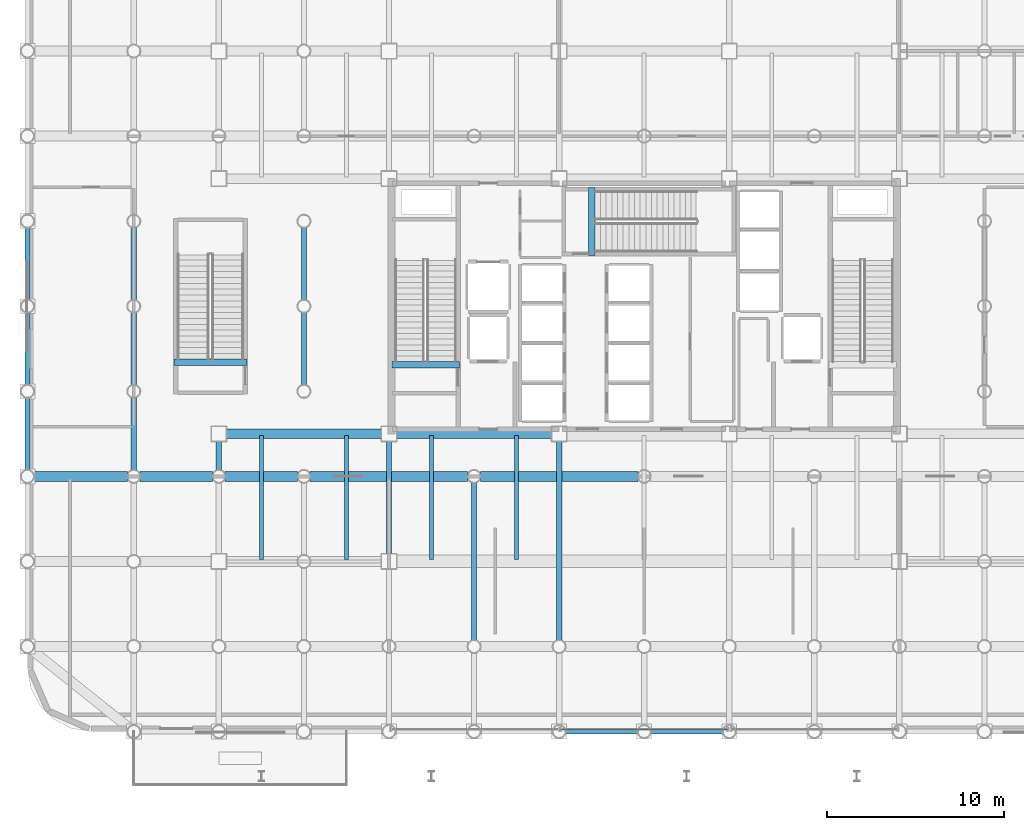
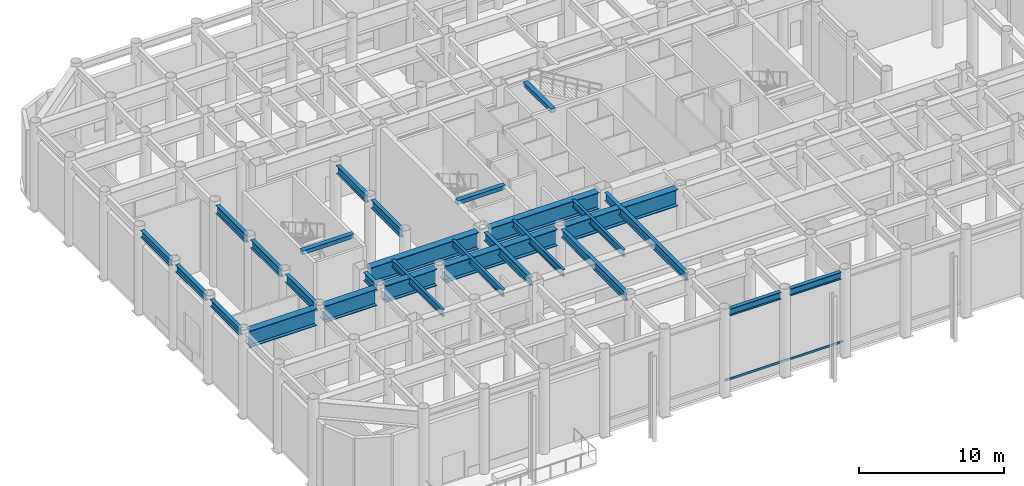
# One storey, part 5 of 23: 28 beams, 1 member, 1 element without a shape of its own.
"""IFC4 building model written with IfcOpenShell, lengths in metres."""

from ifc_helpers import new_model, si_unit, direction, frame, origin, origin_2d, place, context, subcontext, project, spatial, rectangle, hollow_rectangle, i_section, extrude, material, layer, layer_set, material_profile, profile_set, type_object, element, aggregate, save


model = new_model("IFC4")

# Units and contexts
model_context = context("Model", 3, precision=1e-05, world=origin(), true_north=direction((0.0, 1.0)))
body_context = subcontext(model_context, "Body", "Model", "MODEL_VIEW")
ifc_project = project(units=[si_unit("LENGTHUNIT", "METRE"), si_unit("AREAUNIT", "SQUARE_METRE"), si_unit("VOLUMEUNIT", "CUBIC_METRE"), si_unit("PLANEANGLEUNIT", "RADIAN"), si_unit("MASSUNIT", "GRAM", prefix="KILO")], contexts=[model_context])

# Site, building, storey
site_placement = place(None, origin())
site = spatial("IfcSite", under=ifc_project, at=site_placement, CompositionType="ELEMENT")
building_placement = place(site_placement, origin())
building = spatial("IfcBuilding", under=site, at=building_placement, Name="Kallvorn Hotel Tower", CompositionType="ELEMENT")
storey_placement = place(building_placement, frame((0.0, 0.0, 12.0)))
storey = spatial("IfcBuildingStorey", under=building, at=storey_placement, Name="L02", CompositionType="ELEMENT", Elevation=12.0)

# Beams
ifc_material_1 = material(Name="Structural steel S355JR", Category="steel")
ifc_material_profile_1 = material_profile(ifc_material_1, i_section(OverallWidth=0.300048828125, OverallDepth=0.60009765625, WebThickness=0.015380859375, FlangeThickness=0.030029296875, at=origin_2d()), Name="HE 600 B")
ifc_profile_set_1 = profile_set([ifc_material_profile_1], Name="Structural steel S355JR")
beam_type_1 = type_object("IfcBeamType", Name="BM_HE600B", PredefinedType="SPANDREL", material=ifc_profile_set_1)
for number, where, z_axis, x_axis, name in (
    (1, (-4.428955078125, -24.0, 6.6201171875), (1.0, 0.0, 0.0), (0.0, 1.0, 0.0), "L03 Perimeter Spandrel 173"),
    (2, (0.37109375, -24.0, 6.6201171875), (1.0, 0.0, 0.0), (0.0, 1.0, 0.0), "L03 Perimeter Spandrel 174"),
):
    element("IfcBeam", number, at=place(storey_placement, frame(where, z_axis=z_axis, x_axis=x_axis)), inside=storey, type_object=beam_type_1, Name=name, PredefinedType="SPANDREL", context=body_context, shape_type="SweptSolid", body=[
        extrude(i_section(OverallWidth=0.300048828125, OverallDepth=0.60009765625, WebThickness=0.015380859375, FlangeThickness=0.030029296875, at=origin_2d()), origin(), (0.0, 0.0, 1.0), 4.057861328125),
    ])
beam_1_placement = place(storey_placement, frame((-34.800048828125, -9.22900390625, 6.6201171875), z_axis=(0.0, 1.0, 0.0), x_axis=(-1.0, 0.0, 0.0)))
element("IfcBeam", 3, at=beam_1_placement, inside=storey, type_object=beam_type_1, Name="L03 Perimeter Spandrel 194", PredefinedType="SPANDREL", context=body_context, shape_type="SweptSolid", body=[
    extrude(i_section(OverallWidth=0.300048828125, OverallDepth=0.60009765625, WebThickness=0.015380859375, FlangeThickness=0.030029296875, at=origin_2d()), origin(), (0.0, 0.0, 1.0), 4.05810546875),
])
for number, where, z_axis, x_axis, name in (
    (4, (-34.800048828125, -4.428955078125, 6.6201171875), (0.0, 1.0, 0.0), (-1.0, 0.0, 0.0), "L03 Perimeter Spandrel 195"),
    (5, (-34.800048828125, 0.37109375, 6.6201171875), (0.0, 1.0, 0.0), (-1.0, 0.0, 0.0), "L03 Perimeter Spandrel 196"),
):
    element("IfcBeam", number, at=place(storey_placement, frame(where, z_axis=z_axis, x_axis=x_axis)), inside=storey, type_object=beam_type_1, Name=name, PredefinedType="SPANDREL", context=body_context, shape_type="SweptSolid", body=[
        extrude(i_section(OverallWidth=0.300048828125, OverallDepth=0.60009765625, WebThickness=0.015380859375, FlangeThickness=0.030029296875, at=origin_2d()), origin(), (0.0, 0.0, 1.0), 4.057861328125),
    ])
ifc_material_2 = material(Name="Structural steel S355JR", Category="steel")
ifc_material_profile_2 = material_profile(ifc_material_2, i_section(OverallWidth=0.300048828125, OverallDepth=0.699951171875, WebThickness=0.01708984375, FlangeThickness=0.031982421875, at=origin_2d()), Name="HE 700 B")
ifc_profile_set_2 = profile_set([ifc_material_profile_2], Name="Structural steel S355JR")
beam_type_2 = type_object("IfcBeamType", Name="BM_HE700B", PredefinedType="BEAM", material=ifc_profile_set_2)
beam_2_placement = place(storey_placement, frame((-28.800048828125, -9.243896484375, 6.570068359375), z_axis=(0.0, 1.0, 0.0), x_axis=(-1.0, 0.0, 0.0)))
element("IfcBeam", 6, at=beam_2_placement, inside=storey, type_object=beam_type_2, Name="L03 Primary Y-Girder 81", PredefinedType="BEAM", context=body_context, shape_type="SweptSolid", body=[
    extrude(i_section(OverallWidth=0.300048828125, OverallDepth=0.699951171875, WebThickness=0.01708984375, FlangeThickness=0.031982421875, at=origin_2d()), origin(), (0.0, 0.0, 1.0), 4.087890625),
])
for number, where, z_axis, x_axis, name in (
    (7, (-28.800048828125, -4.444091796875, 6.570068359375), (0.0, 1.0, 0.0), (-1.0, 0.0, 0.0), "L03 Primary Y-Girder 82"),
    (8, (-28.800048828125, 0.35595703125, 6.570068359375), (0.0, 1.0, 0.0), (-1.0, 0.0, 0.0), "L03 Primary Y-Girder 83"),
):
    element("IfcBeam", number, at=place(storey_placement, frame(where, z_axis=z_axis, x_axis=x_axis)), inside=storey, type_object=beam_type_2, Name=name, PredefinedType="BEAM", context=body_context, shape_type="SweptSolid", body=[
        extrude(i_section(OverallWidth=0.300048828125, OverallDepth=0.699951171875, WebThickness=0.01708984375, FlangeThickness=0.031982421875, at=origin_2d()), origin(), (0.0, 0.0, 1.0), 4.088134765625),
    ])
beam_3_placement = place(storey_placement, frame((-24.0, -9.243896484375, 6.570068359375), z_axis=(0.0, 1.0, 0.0), x_axis=(-1.0, 0.0, 0.0)))
element("IfcBeam", 9, at=beam_3_placement, inside=storey, type_object=beam_type_2, Name="L03 Primary Y-Girder 91", PredefinedType="BEAM", context=body_context, shape_type="SweptSolid", body=[
    extrude(i_section(OverallWidth=0.300048828125, OverallDepth=0.699951171875, WebThickness=0.01708984375, FlangeThickness=0.031982421875, at=origin_2d()), origin(), (0.0, 0.0, 1.0), 1.618896484375),
])
for number, where, z_axis, x_axis, name in (
    (10, (-19.199951171875, -4.444091796875, 6.570068359375), (0.0, 1.0, 0.0), (-1.0, 0.0, 0.0), "L03 Primary Y-Girder 100"),
    (11, (-19.199951171875, 0.35595703125, 6.570068359375), (0.0, 1.0, 0.0), (-1.0, 0.0, 0.0), "L03 Primary Y-Girder 101"),
):
    element("IfcBeam", number, at=place(storey_placement, frame(where, z_axis=z_axis, x_axis=x_axis)), inside=storey, type_object=beam_type_2, Name=name, PredefinedType="BEAM", context=body_context, shape_type="SweptSolid", body=[
        extrude(i_section(OverallWidth=0.300048828125, OverallDepth=0.699951171875, WebThickness=0.01708984375, FlangeThickness=0.031982421875, at=origin_2d()), origin(), (0.0, 0.0, 1.0), 4.088134765625),
    ])
beam_4_placement = place(storey_placement, frame((-14.39990234375, -13.97509765625, 6.570068359375), z_axis=(0.0, 1.0, 0.0), x_axis=(-1.0, 0.0, 0.0)))
element("IfcBeam", 12, at=beam_4_placement, inside=storey, type_object=beam_type_2, Name="L03 Primary Y-Girder 108", PredefinedType="BEAM", context=body_context, shape_type="SweptSolid", body=[
    extrude(i_section(OverallWidth=0.300048828125, OverallDepth=0.699951171875, WebThickness=0.01708984375, FlangeThickness=0.031982421875, at=origin_2d()), origin(), (0.0, 0.0, 1.0), 6.35009765625),
])
beam_5_placement = place(storey_placement, frame((-9.60009765625, -18.843994140625, 6.570068359375), z_axis=(0.0, 1.0, 0.0), x_axis=(-1.0, 0.0, 0.0)))
element("IfcBeam", 13, at=beam_5_placement, inside=storey, type_object=beam_type_2, Name="L03 Primary Y-Girder 113", PredefinedType="BEAM", context=body_context, shape_type="SweptSolid", body=[
    extrude(i_section(OverallWidth=0.300048828125, OverallDepth=0.699951171875, WebThickness=0.01708984375, FlangeThickness=0.031982421875, at=origin_2d()), origin(), (0.0, 0.0, 1.0), 8.887939453125),
])
beam_6_placement = place(storey_placement, frame((-4.800048828125, -18.843994140625, 6.570068359375), z_axis=(0.0, 1.0, 0.0), x_axis=(-1.0, 0.0, 0.0)))
element("IfcBeam", 14, at=beam_6_placement, inside=storey, type_object=beam_type_2, Name="L03 Primary Y-Girder 117", PredefinedType="BEAM", context=body_context, shape_type="SweptSolid", body=[
    extrude(i_section(OverallWidth=0.300048828125, OverallDepth=0.699951171875, WebThickness=0.01708984375, FlangeThickness=0.031982421875, at=origin_2d()), origin(), (0.0, 0.0, 1.0), 11.218994140625),
])
ifc_material_3 = material(Name="Structural steel S355JR", Category="steel")
ifc_material_profile_3 = material_profile(ifc_material_3, i_section(OverallWidth=0.219970703125, OverallDepth=0.60009765625, WebThickness=0.011962890625, FlangeThickness=0.01904296875, at=origin_2d()), Name="IPE 600")
ifc_profile_set_3 = profile_set([ifc_material_profile_3], Name="Structural steel S355JR")
beam_type_3 = type_object("IfcBeamType", Name="BM_IPE600", PredefinedType="JOIST", material=ifc_profile_set_3)
for number, where, z_axis, x_axis, name in (
    (15, (-21.60009765625, -14.300048828125, 6.6201171875), (0.0, 1.0, 0.0), (-1.0, 0.0, 0.0), "L03 Secondary Composite Joist 212"),
    (16, (-16.800048828125, -14.300048828125, 6.6201171875), (0.0, 1.0, 0.0), (-1.0, 0.0, 0.0), "L03 Secondary Composite Joist 214"),
    (17, (-12.0, -14.300048828125, 6.6201171875), (0.0, 1.0, 0.0), (-1.0, 0.0, 0.0), "L03 Secondary Composite Joist 216"),
    (18, (-7.199951171875, -14.300048828125, 6.6201171875), (0.0, 1.0, 0.0), (-1.0, 0.0, 0.0), "L03 Secondary Composite Joist 218"),
):
    element("IfcBeam", number, at=place(storey_placement, frame(where, z_axis=z_axis, x_axis=x_axis)), inside=storey, type_object=beam_type_3, Name=name, PredefinedType="JOIST", context=body_context, shape_type="SweptSolid", body=[
        extrude(i_section(OverallWidth=0.219970703125, OverallDepth=0.60009765625, WebThickness=0.011962890625, FlangeThickness=0.01904296875, at=origin_2d()), origin(), (0.0, 0.0, 1.0), 7.0),
    ])
ifc_material_4 = material(Name="Structural steel S355JR", Category="steel")
ifc_material_profile_4 = material_profile(ifc_material_4, i_section(OverallWidth=0.550048828125, OverallDepth=1.39990234375, WebThickness=0.02490234375, FlangeThickness=0.044921875, at=origin_2d()), Name="PG 1400x550x25x45")
ifc_profile_set_4 = profile_set([ifc_material_profile_4], Name="Structural steel S355JR")
beam_type_4 = type_object("IfcBeamType", Name="BM_PG_1400", PredefinedType="BEAM", material=ifc_profile_set_4)
beam_7_placement = place(storey_placement, frame((-34.444091796875, -9.60009765625, 6.219970703125), z_axis=(1.0, 0.0, 0.0), x_axis=(0.0, 1.0, 0.0)))
element("IfcBeam", 19, at=beam_7_placement, inside=storey, type_object=beam_type_4, Name="L03 Primary X-Girder 24", PredefinedType="BEAM", context=body_context, shape_type="SweptSolid", body=[
    extrude(i_section(OverallWidth=0.550048828125, OverallDepth=1.39990234375, WebThickness=0.02490234375, FlangeThickness=0.044921875, at=origin_2d()), origin(), (0.0, 0.0, 1.0), 5.2880859375),
])
for number, where, z_axis, x_axis, name in (
    (20, (-28.444091796875, -9.60009765625, 6.219970703125), (1.0, 0.0, 0.0), (0.0, 1.0, 0.0), "L03 Primary X-Girder 25"),
    (21, (-23.64404296875, -9.60009765625, 6.219970703125), (1.0, 0.0, 0.0), (0.0, 1.0, 0.0), "L03 Primary X-Girder 26"),
):
    element("IfcBeam", number, at=place(storey_placement, frame(where, z_axis=z_axis, x_axis=x_axis)), inside=storey, type_object=beam_type_4, Name=name, PredefinedType="BEAM", context=body_context, shape_type="SweptSolid", body=[
        extrude(i_section(OverallWidth=0.550048828125, OverallDepth=1.39990234375, WebThickness=0.02490234375, FlangeThickness=0.044921875, at=origin_2d()), origin(), (0.0, 0.0, 1.0), 4.088134765625),
    ])
for number, where, z_axis, x_axis, name in (
    (22, (-18.843994140625, -9.60009765625, 6.219970703125), (1.0, 0.0, 0.0), (0.0, 1.0, 0.0), "L03 Primary X-Girder 27"),
    (23, (-9.243896484375, -9.60009765625, 6.219970703125), (1.0, 0.0, 0.0), (0.0, 1.0, 0.0), "L03 Primary X-Girder 28"),
):
    element("IfcBeam", number, at=place(storey_placement, frame(where, z_axis=z_axis, x_axis=x_axis)), inside=storey, type_object=beam_type_4, Name=name, PredefinedType="BEAM", context=body_context, shape_type="SweptSolid", body=[
        extrude(i_section(OverallWidth=0.550048828125, OverallDepth=1.39990234375, WebThickness=0.02490234375, FlangeThickness=0.044921875, at=origin_2d()), origin(), (0.0, 0.0, 1.0), 8.887939453125),
    ])
for number, where, z_axis, x_axis, name in (
    (24, (-23.574951171875, -7.199951171875, 6.219970703125), (1.0, 0.0, 0.0), (0.0, 1.0, 0.0), "L03 Primary X-Girder 34"),
    (25, (-13.97509765625, -7.199951171875, 6.219970703125), (1.0, 0.0, 0.0), (0.0, 1.0, 0.0), "L03 Primary X-Girder 35"),
):
    element("IfcBeam", number, at=place(storey_placement, frame(where, z_axis=z_axis, x_axis=x_axis)), inside=storey, type_object=beam_type_4, Name=name, PredefinedType="BEAM", context=body_context, shape_type="SweptSolid", body=[
        extrude(i_section(OverallWidth=0.550048828125, OverallDepth=1.39990234375, WebThickness=0.02490234375, FlangeThickness=0.044921875, at=origin_2d()), origin(), (0.0, 0.0, 1.0), 8.75),
    ])
ifc_material_5 = material(Name="Concrete C50/60", Category="concrete")
ifc_material_profile_5 = material_profile(ifc_material_5, rectangle(XDim=0.360107421875, YDim=0.340087890625, at=origin_2d()), Name="RC 360x340")
ifc_profile_set_5 = profile_set([ifc_material_profile_5], Name="Concrete C50/60")
beam_type_5 = type_object("IfcBeamType", Name="BM_RC_400x360", PredefinedType="BEAM", material=ifc_profile_set_5)
beam_8_placement = place(storey_placement, frame((-10.419921875, -3.31005859375, 6.75), z_axis=(-1.0, 0.0, 0.0), x_axis=(0.0, -1.0, 0.0)))
element("IfcBeam", 26, at=beam_8_placement, inside=storey, type_object=beam_type_5, Name="L03 Stair ST1 Arrival Trimmer Beam", PredefinedType="BEAM", context=body_context, shape_type="SweptSolid", body=[
    extrude(rectangle(XDim=0.360107421875, YDim=0.340087890625, at=origin_2d()), origin(), (0.0, 0.0, 1.0), 3.820068359375),
])
beam_9_placement = place(storey_placement, frame((-2.9599609375, 2.8701171875, 6.75), z_axis=(0.0, 1.0, 0.0), x_axis=(-1.0, 0.0, 0.0)))
element("IfcBeam", 27, at=beam_9_placement, inside=storey, type_object=beam_type_5, Name="L03 Stair ST3 Arrival Trimmer Beam", PredefinedType="BEAM", context=body_context, shape_type="SweptSolid", body=[
    extrude(rectangle(XDim=0.360107421875, YDim=0.340087890625, at=origin_2d()), origin(), (0.0, 0.0, 1.0), 3.81982421875),
])
beam_10_placement = place(storey_placement, frame((-22.419921875, -3.169921875, 6.75), z_axis=(-1.0, 0.0, 0.0), x_axis=(0.0, -1.0, 0.0)))
element("IfcBeam", 28, at=beam_10_placement, inside=storey, type_object=beam_type_5, Name="L03 Stair ST4 Arrival Trimmer Beam", PredefinedType="BEAM", context=body_context, shape_type="SweptSolid", body=[
    extrude(rectangle(XDim=0.360107421875, YDim=0.340087890625, at=origin_2d()), origin(), (0.0, 0.0, 1.0), 4.10009765625),
])

# Curtain wall, member
ifc_material_6 = material(Name="Thermally broken black-anodised aluminium AA 6063-T6", Category="aluminium")
ifc_layer = layer(ifc_material_6, 0.219970703125)
ifc_layer_set = layer_set([ifc_layer], Name="CW_SYS_2_PODIUM_CASC")
curtain_wall_type = type_object("IfcCurtainWallType", Name="CW_SYS_2_PODIUM_CASC", PredefinedType="USERDEFINED", material=ifc_layer_set)
curtain_wall_placement = place(storey_placement, origin())
curtain_wall = element("IfcCurtainWall", 29, at=curtain_wall_placement, inside=storey, type_object=curtain_wall_type, Name="L02 Dark-Glass Curtain Wall CW-L02-S2", ObjectType="UNITISED CURTAIN WALL", PredefinedType="USERDEFINED")
ifc_material_7 = material(Name="Thermally broken black-anodised aluminium AA 6063-T6", Category="aluminium")
ifc_material_profile_6 = material_profile(ifc_material_7, hollow_rectangle(XDim=0.070068359375, YDim=0.179931640625, WallThickness=0.00390625, at=origin_2d()), Name="TRN 180x70")
ifc_profile_set_6 = profile_set([ifc_material_profile_6], Name="Thermally broken black-anodised aluminium AA 6063-T6")
member_type = type_object("IfcMemberType", Name="CW_TRANSOM_180x70", PredefinedType="USERDEFINED", material=ifc_profile_set_6)
member_placement = place(storey_placement, frame((-4.7099609375, -23.8798828125, 0.85009765625), z_axis=(1.0, 0.0, 0.0), x_axis=(0.0, 1.0, 0.0)))
member = element("IfcMember", 30, at=member_placement, type_object=member_type, Name="CW-L02-S2 Transom 00M", ObjectType="TRANSOM", PredefinedType="USERDEFINED", context=body_context, shape_type="SweptSolid", body=[
    extrude(hollow_rectangle(XDim=0.070068359375, YDim=0.179931640625, WallThickness=0.00390625, at=origin_2d()), origin(), (0.0, 0.0, 1.0), 9.419921875),
])
aggregate(curtain_wall, [member])

save(model, "model.ifc")
